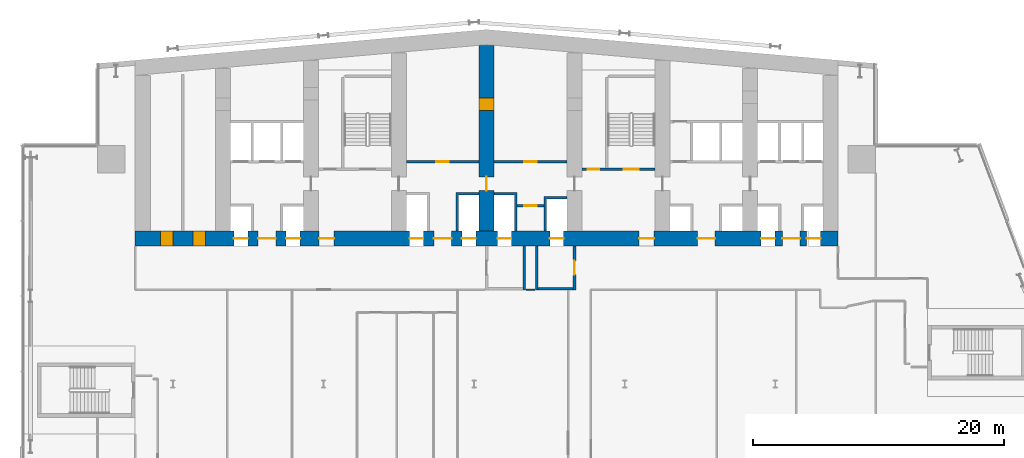
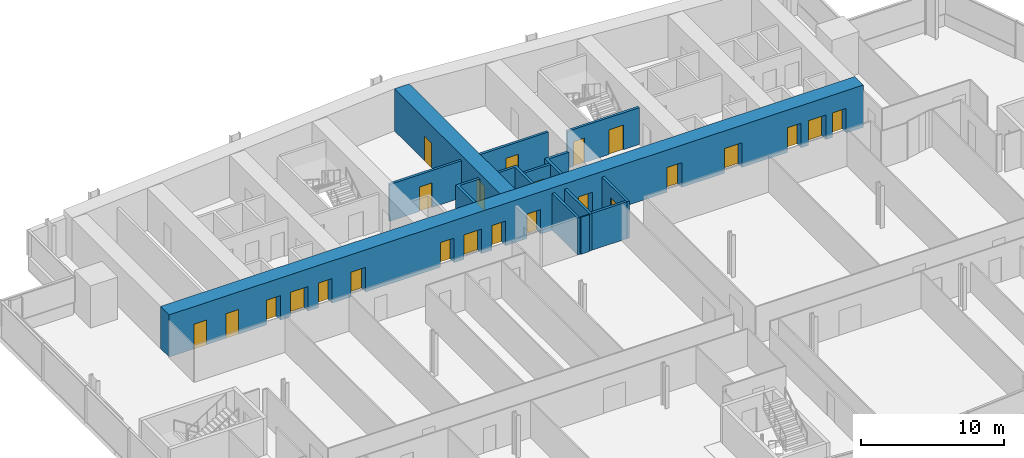
# One storey, part 16 of 24: 24 doors, 14 walls, 24 openings.
"""IFC4 building model written with IfcOpenShell, lengths in metres."""

from ifc_helpers import new_model, si_unit, direction, frame, frame_2d, origin, place, context, subcontext, project, spatial, polyline, rectangle, outline, extrude, material, layer, layer_set, type_object, element, fill, save


model = new_model("IFC4")

# Units and contexts
model_context = context("Model", 3, precision=1e-05, world=origin(), true_north=direction((0.0, 1.0)))
body_context = subcontext(model_context, "Body", "Model", "MODEL_VIEW")
ifc_project = project(units=[si_unit("LENGTHUNIT", "METRE"), si_unit("AREAUNIT", "SQUARE_METRE"), si_unit("VOLUMEUNIT", "CUBIC_METRE"), si_unit("PLANEANGLEUNIT", "RADIAN"), si_unit("MASSUNIT", "GRAM", prefix="KILO")], contexts=[model_context])

# Site, building, storey
site_placement = place(None, origin())
site = spatial("IfcSite", under=ifc_project, at=site_placement, CompositionType="ELEMENT")
building_placement = place(site_placement, origin())
building = spatial("IfcBuilding", under=site, at=building_placement, Name="Wharfspan Tower", CompositionType="ELEMENT")
storey_placement = place(building_placement, frame((0.0, 0.0, 88.300049)))
storey = spatial("IfcBuildingStorey", under=building, at=storey_placement, Name="L19", CompositionType="ELEMENT", Elevation=88.300049)

# Wall
ifc_material_1 = material(Name="Gypsum board on steel studs", Category="steel")
ifc_layer_1 = layer(ifc_material_1, 0.100098)
ifc_layer_set_1 = layer_set([ifc_layer_1], Name="Gypsum board on steel studs")
wall_type_1 = type_object("IfcWallType", Name="Compartment wall 100 EI 60", PredefinedType="PARTITIONING", material=ifc_layer_set_1)
wall_1_placement = place(storey_placement, frame((40.149902, 30.5, 0.0), z_axis=(0.0, 0.0, 1.0), x_axis=(1.0, 0.0, 0.0)))
element("IfcWall", 1, at=wall_1_placement, inside=storey, type_object=wall_type_1, Name="Partition L19.w009 (2)", PredefinedType="PARTITIONING", context=body_context, shape_type="SweptSolid", body=[
    extrude(rectangle(XDim=0.700195, YDim=0.100098, at=frame_2d((0.350098, 0.0))), origin(), (0.0, 0.0, 1.0), 3.149902),
])

# Wall, opening, door
ifc_material_2 = material(Name="Calcium silicate masonry", Category="masonry")
ifc_layer_2 = layer(ifc_material_2, 0.199951)
ifc_layer_set_2 = layer_set([ifc_layer_2], Name="Calcium silicate masonry")
wall_type_2 = type_object("IfcWallType", Name="Core room wall 200", PredefinedType="PARTITIONING", material=ifc_layer_set_2)
wall_2_placement = place(storey_placement, frame((39.43335, 37.199951, 0.0), z_axis=(0.0, 0.0, 1.0), x_axis=(1.0, 0.0, 0.0)))
wall_2 = element("IfcWall", 2, at=wall_2_placement, inside=storey, type_object=wall_type_2, Name="sw:L19:FR4.2", PredefinedType="PARTITIONING", context=body_context, shape_type="SweptSolid", body=[
    extrude(rectangle(XDim=2.133301, YDim=0.199951, at=frame_2d((1.06665, 0.0))), origin(), (0.0, 0.0, 1.0), 3.149902),
])
opening_1_placement = place(wall_2_placement, frame((0.56665, 0.0, 0.0)))
opening_1 = element("IfcOpeningElement", 3, at=opening_1_placement, cuts=wall_2, Name="Opening CD19.4H2", PredefinedType="OPENING", context=body_context, shape_type="SweptSolid", body=[
    extrude(rectangle(XDim=1.0, YDim=2.100098, at=frame_2d((0.5, 1.050049))), frame((0.0, 0.109863, 0.0), z_axis=(0.0, -1.0, 0.0), x_axis=(1.0, 0.0, 0.0)), (0.0, 0.0, 1.0), 0.219971),
])
ifc_material_3 = material(Name="Steel door leaf", Category="steel")
door_type_1 = type_object("IfcDoorType", Name="Core room door 1000x2100", OperationType="SINGLE_SWING_LEFT", PredefinedType="DOOR", material=ifc_material_3)
door_1_placement = place(opening_1_placement, origin())
door_1 = element("IfcDoor", 4, at=door_1_placement, inside=storey, type_object=door_type_1, Name="d:L19:4:fh4.2", OperationType="SINGLE_SWING_RIGHT", OverallHeight=2.100098, OverallWidth=1.0, PredefinedType="DOOR", context=body_context, shape_type="SweptSolid", body=[
    extrude(rectangle(XDim=1.0, YDim=2.100098, at=frame_2d((0.5, 1.050049))), frame((0.0, 0.024902, 0.0), z_axis=(0.0, -1.0, 0.0), x_axis=(1.0, 0.0, 0.0)), (0.0, 0.0, 1.0), 0.050049),
])
fill(opening_1, door_1)

# Wall, openings, doors
ifc_material_4 = material(Name="Concrete C70/85", Category="concrete")
ifc_layer_3 = layer(ifc_material_4, 1.199951)
ifc_layer_set_3 = layer_set([ifc_layer_3], Name="Concrete C70/85")
wall_type_3 = type_object("IfcWallType", Name="Core wall 1200 C70/85", PredefinedType="SHEAR", material=ifc_layer_set_3)
wall_3_placement = place(storey_placement, frame((9.0, 34.600098, 0.0), z_axis=(0.0, 0.0, 1.0), x_axis=(1.0, 0.0, 0.0)))
wall_3 = element("IfcWall", 5, at=wall_3_placement, inside=storey, type_object=wall_type_3, Name="Core front wall L19", PredefinedType="SHEAR", context=body_context, shape_type="SweptSolid", body=[
    extrude(rectangle(XDim=56.0, YDim=1.199951, at=frame_2d((28.0, 0.0))), origin(), (0.0, 0.0, 1.0), 3.599854),
])
opening_2_placement = place(wall_3_placement, frame((2.0, 0.0, 0.0)))
opening_2 = element("IfcOpeningElement", 6, at=opening_2_placement, cuts=wall_3, Name="Opening CD19.01", PredefinedType="OPENING", context=body_context, shape_type="SweptSolid", body=[
    extrude(rectangle(XDim=1.0, YDim=2.100098, at=frame_2d((0.5, 1.050049))), frame((0.0, 0.609863, 0.0), z_axis=(0.0, -1.0, 0.0), x_axis=(1.0, 0.0, 0.0)), (0.0, 0.0, 1.0), 1.219971),
])
opening_3_placement = place(wall_3_placement, frame((4.600098, 0.0, 0.0)))
opening_3 = element("IfcOpeningElement", 7, at=opening_3_placement, cuts=wall_3, Name="Opening CD19.02", PredefinedType="OPENING", context=body_context, shape_type="SweptSolid", body=[
    extrude(rectangle(XDim=1.0, YDim=2.100098, at=frame_2d((0.5, 1.050049))), frame((0.0, 0.609863, 0.0), z_axis=(0.0, -1.0, 0.0), x_axis=(1.0, 0.0, 0.0)), (0.0, 0.0, 1.0), 1.219971),
])
opening_4_placement = place(wall_3_placement, frame((7.866699, 0.0, 0.0)))
opening_4 = element("IfcOpeningElement", 8, at=opening_4_placement, cuts=wall_3, Name="Opening LD.LA1.L19", PredefinedType="OPENING", context=body_context, shape_type="SweptSolid", body=[
    extrude(rectangle(XDim=1.100098, YDim=2.100098, at=frame_2d((0.550049, 1.050049))), frame((0.0, 0.609863, 0.0), z_axis=(0.0, -1.0, 0.0), x_axis=(1.0, 0.0, 0.0)), (0.0, 0.0, 1.0), 1.219971),
])
opening_5_placement = place(wall_3_placement, frame((12.033203, 0.0, 0.0)))
opening_5 = element("IfcOpeningElement", 9, at=opening_5_placement, cuts=wall_3, Name="Opening LD.LA2.L19", PredefinedType="OPENING", context=body_context, shape_type="SweptSolid", body=[
    extrude(rectangle(XDim=1.100098, YDim=2.100098, at=frame_2d((0.550049, 1.050049))), frame((0.0, 0.609863, 0.0), z_axis=(0.0, -1.0, 0.0), x_axis=(1.0, 0.0, 0.0)), (0.0, 0.0, 1.0), 1.219971),
])
opening_6_placement = place(wall_3_placement, frame((9.800049, 0.0, 0.0)))
opening_6 = element("IfcOpeningElement", 10, at=opening_6_placement, cuts=wall_3, Name="Opening HD19.1", PredefinedType="OPENING", context=body_context, shape_type="SweptSolid", body=[
    extrude(rectangle(XDim=1.399902, YDim=2.100098, at=frame_2d((0.699951, 1.050049))), frame((0.0, 0.609863, 0.0), z_axis=(0.0, -1.0, 0.0), x_axis=(1.0, 0.0, 0.0)), (0.0, 0.0, 1.0), 1.219971),
])
opening_7_placement = place(wall_3_placement, frame((14.649902, 0.0, 0.0)))
opening_7 = element("IfcOpeningElement", 11, at=opening_7_placement, cuts=wall_3, Name="Opening SV2.L19", PredefinedType="OPENING", context=body_context, shape_type="SweptSolid", body=[
    extrude(rectangle(XDim=1.199951, YDim=2.100098, at=frame_2d((0.600098, 1.050049))), frame((0.0, 0.609863, 0.0), z_axis=(0.0, -1.0, 0.0), x_axis=(1.0, 0.0, 0.0)), (0.0, 0.0, 1.0), 1.219971),
])
opening_8_placement = place(wall_3_placement, frame((21.866699, 0.0, 0.0)))
opening_8 = element("IfcOpeningElement", 12, at=opening_8_placement, cuts=wall_3, Name="Opening LD.SL1.L19", PredefinedType="OPENING", context=body_context, shape_type="SweptSolid", body=[
    extrude(rectangle(XDim=1.100098, YDim=2.100098, at=frame_2d((0.550049, 1.050049))), frame((0.0, 0.609863, 0.0), z_axis=(0.0, -1.0, 0.0), x_axis=(1.0, 0.0, 0.0)), (0.0, 0.0, 1.0), 1.219971),
])
opening_9_placement = place(wall_3_placement, frame((26.033203, 0.0, 0.0)))
opening_9 = element("IfcOpeningElement", 13, at=opening_9_placement, cuts=wall_3, Name="Opening LD.SL2.L19", PredefinedType="OPENING", context=body_context, shape_type="SweptSolid", body=[
    extrude(rectangle(XDim=1.100098, YDim=2.100098, at=frame_2d((0.550049, 1.050049))), frame((0.0, 0.609863, 0.0), z_axis=(0.0, -1.0, 0.0), x_axis=(1.0, 0.0, 0.0)), (0.0, 0.0, 1.0), 1.219971),
])
opening_10_placement = place(wall_3_placement, frame((23.800049, 0.0, 0.0)))
opening_10 = element("IfcOpeningElement", 14, at=opening_10_placement, cuts=wall_3, Name="Opening HD19.3", PredefinedType="OPENING", context=body_context, shape_type="SweptSolid", body=[
    extrude(rectangle(XDim=1.399902, YDim=2.100098, at=frame_2d((0.699951, 1.050049))), frame((0.0, 0.609863, 0.0), z_axis=(0.0, -1.0, 0.0), x_axis=(1.0, 0.0, 0.0)), (0.0, 0.0, 1.0), 1.219971),
])
opening_11_placement = place(wall_3_placement, frame((28.866699, 0.0, 0.0)))
opening_11 = element("IfcOpeningElement", 15, at=opening_11_placement, cuts=wall_3, Name="Opening LD.FF1.L19", PredefinedType="OPENING", context=body_context, shape_type="SweptSolid", body=[
    extrude(rectangle(XDim=1.100098, YDim=2.100098, at=frame_2d((0.550049, 1.050049))), frame((0.0, 0.609863, 0.0), z_axis=(0.0, -1.0, 0.0), x_axis=(1.0, 0.0, 0.0)), (0.0, 0.0, 1.0), 1.219971),
])
opening_12_placement = place(wall_3_placement, frame((33.033203, 0.0, 0.0)))
opening_12 = element("IfcOpeningElement", 16, at=opening_12_placement, cuts=wall_3, Name="Opening LD.FF2.L19", PredefinedType="OPENING", context=body_context, shape_type="SweptSolid", body=[
    extrude(rectangle(XDim=1.100098, YDim=2.100098, at=frame_2d((0.550049, 1.050049))), frame((0.0, 0.609863, 0.0), z_axis=(0.0, -1.0, 0.0), x_axis=(1.0, 0.0, 0.0)), (0.0, 0.0, 1.0), 1.219971),
])
opening_13_placement = place(wall_3_placement, frame((40.149902, 0.0, 0.0)))
opening_13 = element("IfcOpeningElement", 17, at=opening_13_placement, cuts=wall_3, Name="Opening SV5.L19", PredefinedType="OPENING", context=body_context, shape_type="SweptSolid", body=[
    extrude(rectangle(XDim=1.199951, YDim=2.100098, at=frame_2d((0.600098, 1.050049))), frame((0.0, 0.609863, 0.0), z_axis=(0.0, -1.0, 0.0), x_axis=(1.0, 0.0, 0.0)), (0.0, 0.0, 1.0), 1.219971),
])
opening_14_placement = place(wall_3_placement, frame((44.800049, 0.0, 0.0)))
opening_14 = element("IfcOpeningElement", 18, at=opening_14_placement, cuts=wall_3, Name="Opening HD19.6", PredefinedType="OPENING", context=body_context, shape_type="SweptSolid", body=[
    extrude(rectangle(XDim=1.399902, YDim=2.100098, at=frame_2d((0.699951, 1.050049))), frame((0.0, 0.609863, 0.0), z_axis=(0.0, -1.0, 0.0), x_axis=(1.0, 0.0, 0.0)), (0.0, 0.0, 1.0), 1.219971),
])
opening_15_placement = place(wall_3_placement, frame((49.866699, 0.0, 0.0)))
opening_15 = element("IfcOpeningElement", 19, at=opening_15_placement, cuts=wall_3, Name="Opening LD.LA6.L19", PredefinedType="OPENING", context=body_context, shape_type="SweptSolid", body=[
    extrude(rectangle(XDim=1.100098, YDim=2.100098, at=frame_2d((0.550049, 1.050049))), frame((0.0, 0.609863, 0.0), z_axis=(0.0, -1.0, 0.0), x_axis=(1.0, 0.0, 0.0)), (0.0, 0.0, 1.0), 1.219971),
])
opening_16_placement = place(wall_3_placement, frame((53.5, 0.0, 0.0)))
opening_16 = element("IfcOpeningElement", 20, at=opening_16_placement, cuts=wall_3, Name="Opening LD.LA7.L19", PredefinedType="OPENING", context=body_context, shape_type="SweptSolid", body=[
    extrude(rectangle(XDim=1.100098, YDim=2.100098, at=frame_2d((0.550049, 1.050049))), frame((0.0, 0.609863, 0.0), z_axis=(0.0, -1.0, 0.0), x_axis=(1.0, 0.0, 0.0)), (0.0, 0.0, 1.0), 1.219971),
])
opening_17_placement = place(wall_3_placement, frame((51.56665, 0.0, 0.0)))
opening_17 = element("IfcOpeningElement", 21, at=opening_17_placement, cuts=wall_3, Name="Opening HD19.7", PredefinedType="OPENING", context=body_context, shape_type="SweptSolid", body=[
    extrude(rectangle(XDim=1.399902, YDim=2.100098, at=frame_2d((0.699951, 1.050049))), frame((0.0, 0.609863, 0.0), z_axis=(0.0, -1.0, 0.0), x_axis=(1.0, 0.0, 0.0)), (0.0, 0.0, 1.0), 1.219971),
])
door_2_placement = place(opening_2_placement, origin())
door_2 = element("IfcDoor", 22, at=door_2_placement, inside=storey, type_object=door_type_1, Name="d:L19:0:rf", OperationType="SINGLE_SWING_LEFT", OverallHeight=2.100098, OverallWidth=1.0, PredefinedType="DOOR", context=body_context, shape_type="SweptSolid", body=[
    extrude(rectangle(XDim=1.0, YDim=2.100098, at=frame_2d((0.5, 1.050049))), frame((0.0, 0.599609, 0.0), z_axis=(0.0, -1.0, 0.0), x_axis=(1.0, 0.0, 0.0)), (0.0, 0.0, 1.0), 1.199463),
])
fill(opening_2, door_2)
door_3_placement = place(opening_3_placement, origin())
door_3 = element("IfcDoor", 23, at=door_3_placement, inside=storey, type_object=door_type_1, Name="d:L19:0:rr", OperationType="SINGLE_SWING_RIGHT", OverallHeight=2.100098, OverallWidth=1.0, PredefinedType="DOOR", context=body_context, shape_type="SweptSolid", body=[
    extrude(rectangle(XDim=1.0, YDim=2.100098, at=frame_2d((0.5, 1.050049))), frame((0.0, 0.599609, 0.0), z_axis=(0.0, -1.0, 0.0), x_axis=(1.0, 0.0, 0.0)), (0.0, 0.0, 1.0), 1.199463),
])
fill(opening_3, door_3)
door_type_2 = type_object("IfcDoorType", Name="Hall entry door 1400x2100", OperationType="DOUBLE_DOOR_SINGLE_SWING", PredefinedType="DOOR", material=ifc_material_3)
door_4_placement = place(opening_6_placement, origin())
door_4 = element("IfcDoor", 24, at=door_4_placement, inside=storey, type_object=door_type_2, Name="d:L19:1:hd1", OperationType="DOUBLE_DOOR_SINGLE_SWING", OverallHeight=2.100098, OverallWidth=1.399902, PredefinedType="DOOR", context=body_context, shape_type="SweptSolid", body=[
    extrude(rectangle(XDim=1.399902, YDim=2.100098, at=frame_2d((0.699951, 1.050049))), frame((0.0, 0.024902, 0.0), z_axis=(0.0, -1.0, 0.0), x_axis=(1.0, 0.0, 0.0)), (0.0, 0.0, 1.0), 0.050049),
])
fill(opening_6, door_4)
door_5_placement = place(opening_10_placement, origin())
door_5 = element("IfcDoor", 25, at=door_5_placement, inside=storey, type_object=door_type_2, Name="d:L19:3:hd3", OperationType="DOUBLE_DOOR_SINGLE_SWING", OverallHeight=2.100098, OverallWidth=1.399902, PredefinedType="DOOR", context=body_context, shape_type="SweptSolid", body=[
    extrude(rectangle(XDim=1.399902, YDim=2.100098, at=frame_2d((0.699951, 1.050049))), frame((0.0, 0.024902, 0.0), z_axis=(0.0, -1.0, 0.0), x_axis=(1.0, 0.0, 0.0)), (0.0, 0.0, 1.0), 0.050049),
])
fill(opening_10, door_5)
door_6_placement = place(opening_14_placement, origin())
door_6 = element("IfcDoor", 26, at=door_6_placement, inside=storey, type_object=door_type_2, Name="d:L19:6:hd6", OperationType="DOUBLE_DOOR_SINGLE_SWING", OverallHeight=2.100098, OverallWidth=1.399902, PredefinedType="DOOR", context=body_context, shape_type="SweptSolid", body=[
    extrude(rectangle(XDim=1.399902, YDim=2.100098, at=frame_2d((0.699951, 1.050049))), frame((0.0, 0.024902, 0.0), z_axis=(0.0, -1.0, 0.0), x_axis=(1.0, 0.0, 0.0)), (0.0, 0.0, 1.0), 0.050049),
])
fill(opening_14, door_6)
door_7_placement = place(opening_17_placement, origin())
door_7 = element("IfcDoor", 27, at=door_7_placement, inside=storey, type_object=door_type_2, Name="d:L19:7:hd7", OperationType="DOUBLE_DOOR_SINGLE_SWING", OverallHeight=2.100098, OverallWidth=1.399902, PredefinedType="DOOR", context=body_context, shape_type="SweptSolid", body=[
    extrude(rectangle(XDim=1.399902, YDim=2.100098, at=frame_2d((0.699951, 1.050049))), frame((0.0, 0.024902, 0.0), z_axis=(0.0, -1.0, 0.0), x_axis=(1.0, 0.0, 0.0)), (0.0, 0.0, 1.0), 0.050049),
])
fill(opening_17, door_7)
ifc_material_5 = material(Name="Stainless steel", Category="steel")
door_type_3 = type_object("IfcDoorType", Name="Lift landing door 1100x2100", OperationType="DOUBLE_DOOR_SLIDING", PredefinedType="DOOR", material=ifc_material_5)
door_8_placement = place(opening_4_placement, origin())
door_8 = element("IfcDoor", 28, at=door_8_placement, inside=storey, type_object=door_type_3, Name="Landing door LA1 L19", OperationType="DOUBLE_DOOR_SLIDING", OverallHeight=2.100098, OverallWidth=1.100098, PredefinedType="DOOR", context=body_context, shape_type="SweptSolid", body=[
    extrude(rectangle(XDim=1.100098, YDim=2.100098, at=frame_2d((0.550049, 1.050049))), frame((0.0, 0.024902, 0.0), z_axis=(0.0, -1.0, 0.0), x_axis=(1.0, 0.0, 0.0)), (0.0, 0.0, 1.0), 0.050049),
])
fill(opening_4, door_8)
door_9_placement = place(opening_5_placement, origin())
door_9 = element("IfcDoor", 29, at=door_9_placement, inside=storey, type_object=door_type_3, Name="Landing door LA2 L19", OperationType="DOUBLE_DOOR_SLIDING", OverallHeight=2.100098, OverallWidth=1.100098, PredefinedType="DOOR", context=body_context, shape_type="SweptSolid", body=[
    extrude(rectangle(XDim=1.100098, YDim=2.100098, at=frame_2d((0.550049, 1.050049))), frame((0.0, 0.024902, 0.0), z_axis=(0.0, -1.0, 0.0), x_axis=(1.0, 0.0, 0.0)), (0.0, 0.0, 1.0), 0.050049),
])
fill(opening_5, door_9)
door_10_placement = place(opening_8_placement, origin())
door_10 = element("IfcDoor", 30, at=door_10_placement, inside=storey, type_object=door_type_3, Name="Landing door SL1 L19", OperationType="DOUBLE_DOOR_SLIDING", OverallHeight=2.100098, OverallWidth=1.100098, PredefinedType="DOOR", context=body_context, shape_type="SweptSolid", body=[
    extrude(rectangle(XDim=1.100098, YDim=2.100098, at=frame_2d((0.550049, 1.050049))), frame((0.0, 0.024902, 0.0), z_axis=(0.0, -1.0, 0.0), x_axis=(1.0, 0.0, 0.0)), (0.0, 0.0, 1.0), 0.050049),
])
fill(opening_8, door_10)
door_11_placement = place(opening_9_placement, origin())
door_11 = element("IfcDoor", 31, at=door_11_placement, inside=storey, type_object=door_type_3, Name="Landing door SL2 L19", OperationType="DOUBLE_DOOR_SLIDING", OverallHeight=2.100098, OverallWidth=1.100098, PredefinedType="DOOR", context=body_context, shape_type="SweptSolid", body=[
    extrude(rectangle(XDim=1.100098, YDim=2.100098, at=frame_2d((0.550049, 1.050049))), frame((0.0, 0.024902, 0.0), z_axis=(0.0, -1.0, 0.0), x_axis=(1.0, 0.0, 0.0)), (0.0, 0.0, 1.0), 0.050049),
])
fill(opening_9, door_11)
door_12_placement = place(opening_11_placement, origin())
door_12 = element("IfcDoor", 32, at=door_12_placement, inside=storey, type_object=door_type_3, Name="Landing door FF1 L19", OperationType="DOUBLE_DOOR_SLIDING", OverallHeight=2.100098, OverallWidth=1.100098, PredefinedType="DOOR", context=body_context, shape_type="SweptSolid", body=[
    extrude(rectangle(XDim=1.100098, YDim=2.100098, at=frame_2d((0.550049, 1.050049))), frame((0.0, 0.024902, 0.0), z_axis=(0.0, -1.0, 0.0), x_axis=(1.0, 0.0, 0.0)), (0.0, 0.0, 1.0), 0.050049),
])
fill(opening_11, door_12)
door_13_placement = place(opening_12_placement, origin())
door_13 = element("IfcDoor", 33, at=door_13_placement, inside=storey, type_object=door_type_3, Name="Landing door FF2 L19", OperationType="DOUBLE_DOOR_SLIDING", OverallHeight=2.100098, OverallWidth=1.100098, PredefinedType="DOOR", context=body_context, shape_type="SweptSolid", body=[
    extrude(rectangle(XDim=1.100098, YDim=2.100098, at=frame_2d((0.550049, 1.050049))), frame((0.0, 0.024902, 0.0), z_axis=(0.0, -1.0, 0.0), x_axis=(1.0, 0.0, 0.0)), (0.0, 0.0, 1.0), 0.050049),
])
fill(opening_12, door_13)
door_14_placement = place(opening_15_placement, origin())
door_14 = element("IfcDoor", 34, at=door_14_placement, inside=storey, type_object=door_type_3, Name="Landing door LA6 L19", OperationType="DOUBLE_DOOR_SLIDING", OverallHeight=2.100098, OverallWidth=1.100098, PredefinedType="DOOR", context=body_context, shape_type="SweptSolid", body=[
    extrude(rectangle(XDim=1.100098, YDim=2.100098, at=frame_2d((0.550049, 1.050049))), frame((0.0, 0.024902, 0.0), z_axis=(0.0, -1.0, 0.0), x_axis=(1.0, 0.0, 0.0)), (0.0, 0.0, 1.0), 0.050049),
])
fill(opening_15, door_14)
door_15_placement = place(opening_16_placement, origin())
door_15 = element("IfcDoor", 35, at=door_15_placement, inside=storey, type_object=door_type_3, Name="Landing door LA7 L19", OperationType="DOUBLE_DOOR_SLIDING", OverallHeight=2.100098, OverallWidth=1.100098, PredefinedType="DOOR", context=body_context, shape_type="SweptSolid", body=[
    extrude(rectangle(XDim=1.100098, YDim=2.100098, at=frame_2d((0.550049, 1.050049))), frame((0.0, 0.024902, 0.0), z_axis=(0.0, -1.0, 0.0), x_axis=(1.0, 0.0, 0.0)), (0.0, 0.0, 1.0), 0.050049),
])
fill(opening_16, door_15)
door_type_4 = type_object("IfcDoorType", Name="Stair door 1200x2100", OperationType="SINGLE_SWING_LEFT", PredefinedType="DOOR", material=ifc_material_3)
door_16_placement = place(opening_7_placement, origin())
door_16 = element("IfcDoor", 36, at=door_16_placement, inside=storey, type_object=door_type_4, Name="vd:L19:2", OperationType="SINGLE_SWING_LEFT", OverallHeight=2.100098, OverallWidth=1.199951, PredefinedType="DOOR", context=body_context, shape_type="SweptSolid", body=[
    extrude(rectangle(XDim=1.199951, YDim=2.100098, at=frame_2d((0.600098, 1.050049))), frame((0.0, 0.024902, 0.0), z_axis=(0.0, -1.0, 0.0), x_axis=(1.0, 0.0, 0.0)), (0.0, 0.0, 1.0), 0.050049),
])
fill(opening_7, door_16)
door_17_placement = place(opening_13_placement, origin())
door_17 = element("IfcDoor", 37, at=door_17_placement, inside=storey, type_object=door_type_4, Name="vd:L19:5", OperationType="SINGLE_SWING_LEFT", OverallHeight=2.100098, OverallWidth=1.199951, PredefinedType="DOOR", context=body_context, shape_type="SweptSolid", body=[
    extrude(rectangle(XDim=1.199951, YDim=2.100098, at=frame_2d((0.600098, 1.050049))), frame((0.0, 0.024902, 0.0), z_axis=(0.0, -1.0, 0.0), x_axis=(1.0, 0.0, 0.0)), (0.0, 0.0, 1.0), 0.050049),
])
fill(opening_13, door_17)

wall_4_placement = place(storey_placement, frame((37.0, 35.199951, 0.0), z_axis=(0.0, 0.0, 1.0), x_axis=(0.0, 1.0, 0.0)))
wall_4 = element("IfcWall", 38, at=wall_4_placement, inside=storey, type_object=wall_type_3, Name="Core cross wall X4 L19", PredefinedType="SHEAR", context=body_context, shape_type="SweptSolid", body=[
    extrude(rectangle(XDim=14.780029, YDim=1.199951, at=frame_2d((7.390137, 0.0))), origin(), (0.0, 0.0, 1.0), 3.599854),
])
opening_18_placement = place(wall_4_placement, frame((3.199951, 0.0, 0.0)))
opening_18 = element("IfcOpeningElement", 39, at=opening_18_placement, cuts=wall_4, Name="Opening CC19.4", PredefinedType="OPENING", context=body_context, shape_type="SweptSolid", body=[
    extrude(rectangle(XDim=1.100098, YDim=2.100098, at=frame_2d((0.550049, 1.050049))), frame((0.0, 0.609863, 0.0), z_axis=(0.0, -1.0, 0.0), x_axis=(1.0, 0.0, 0.0)), (0.0, 0.0, 1.0), 1.219971),
])
opening_19_placement = place(wall_4_placement, frame((9.600098, 0.0, 0.0)))
opening_19 = element("IfcOpeningElement", 40, at=opening_19_placement, cuts=wall_4, Name="Opening CR19.4", PredefinedType="OPENING", context=body_context, shape_type="SweptSolid", body=[
    extrude(rectangle(XDim=1.0, YDim=2.100098, at=frame_2d((0.5, 1.050049))), frame((0.0, 0.609863, 0.0), z_axis=(0.0, -1.0, 0.0), x_axis=(1.0, 0.0, 0.0)), (0.0, 0.0, 1.0), 1.219971),
])
door_type_5 = type_object("IfcDoorType", Name="Core corridor door 1100x2100", OperationType="SINGLE_SWING_LEFT", PredefinedType="DOOR", material=ifc_material_3)
door_18_placement = place(opening_18_placement, origin())
door_18 = element("IfcDoor", 41, at=door_18_placement, inside=storey, type_object=door_type_5, Name="xd:L19:4", OperationType="SINGLE_SWING_RIGHT", OverallHeight=2.100098, OverallWidth=1.100098, PredefinedType="DOOR", context=body_context, shape_type="SweptSolid", body=[
    extrude(rectangle(XDim=1.100098, YDim=2.100098, at=frame_2d((0.550049, 1.050049))), frame((0.0, 0.024902, 0.0), z_axis=(0.0, -1.0, 0.0), x_axis=(1.0, 0.0, 0.0)), (0.0, 0.0, 1.0), 0.050049),
])
fill(opening_18, door_18)
door_19_placement = place(opening_19_placement, origin())
door_19 = element("IfcDoor", 42, at=door_19_placement, inside=storey, type_object=door_type_1, Name="xr:L19:4", OperationType="SINGLE_SWING_RIGHT", OverallHeight=2.100098, OverallWidth=1.0, PredefinedType="DOOR", context=body_context, shape_type="SweptSolid", body=[
    extrude(rectangle(XDim=1.0, YDim=2.100098, at=frame_2d((0.5, 1.050049))), frame((0.0, 0.599609, 0.0), z_axis=(0.0, -1.0, 0.0), x_axis=(1.0, 0.0, 0.0)), (0.0, 0.0, 1.0), 1.199463),
])
fill(opening_19, door_19)

# Wall, opening, door
ifc_material_6 = material(Name="Concrete C30/37", Category="concrete")
ifc_layer_4 = layer(ifc_material_6, 0.199951)
ifc_layer_set_4 = layer_set([ifc_layer_4], Name="Concrete C30/37")
wall_type_4 = type_object("IfcWallType", Name="Lift shaft wall 200", PredefinedType="PARTITIONING", material=ifc_layer_set_4)
wall_5_placement = place(storey_placement, frame((30.600098, 40.699951, 0.0), z_axis=(0.0, 0.0, 1.0), x_axis=(1.0, 0.0, 0.0)))
wall_5 = element("IfcWall", 43, at=wall_5_placement, inside=storey, type_object=wall_type_4, Name="sw:L19:RF3", PredefinedType="PARTITIONING", context=body_context, shape_type="SweptSolid", body=[
    extrude(rectangle(XDim=5.799805, YDim=0.199951, at=frame_2d((2.899902, 0.0))), origin(), (0.0, 0.0, 1.0), 3.149902),
])
opening_20_placement = place(wall_5_placement, frame((2.399902, 0.0, 0.0)))
opening_20 = element("IfcOpeningElement", 44, at=opening_20_placement, cuts=wall_5, Name="Opening CD19.3S", PredefinedType="OPENING", context=body_context, shape_type="SweptSolid", body=[
    extrude(rectangle(XDim=1.0, YDim=2.100098, at=frame_2d((0.5, 1.050049))), frame((0.0, 0.109863, 0.0), z_axis=(0.0, -1.0, 0.0), x_axis=(1.0, 0.0, 0.0)), (0.0, 0.0, 1.0), 0.219971),
])
door_20_placement = place(opening_20_placement, origin())
door_20 = element("IfcDoor", 45, at=door_20_placement, inside=storey, type_object=door_type_1, Name="d:L19:3:sf", OperationType="SINGLE_SWING_LEFT", OverallHeight=2.100098, OverallWidth=1.0, PredefinedType="DOOR", context=body_context, shape_type="SweptSolid", body=[
    extrude(rectangle(XDim=1.0, YDim=2.100098, at=frame_2d((0.5, 1.050049))), frame((0.0, 0.024902, 0.0), z_axis=(0.0, -1.0, 0.0), x_axis=(1.0, 0.0, 0.0)), (0.0, 0.0, 1.0), 0.050049),
])
fill(opening_20, door_20)

# Wall
wall_6_placement = place(storey_placement, frame((0.0, 0.0, -0.000244)))
element("IfcWall", 46, at=wall_6_placement, inside=storey, type_object=wall_type_4, Name="sw:L19:FM3.1", PredefinedType="PARTITIONING", context=body_context, shape_type="SweptSolid", body=[
    extrude(outline(polyline([(34.56665, 38.25), (34.766602, 38.25), (36.399902, 38.25), (36.399902, 38.050049), (34.766602, 38.050049), (34.766602, 35.199951), (34.56665, 35.199951), (34.56665, 38.25)])), origin(), (0.0, 0.0, 1.0), 3.150146),
])

# Wall, opening, door
wall_7_placement = place(storey_placement, frame((37.600098, 40.699951, 0.0), z_axis=(0.0, 0.0, 1.0), x_axis=(1.0, 0.0, 0.0)))
wall_7 = element("IfcWall", 47, at=wall_7_placement, inside=storey, type_object=wall_type_4, Name="sw:L19:RF4", PredefinedType="PARTITIONING", context=body_context, shape_type="SweptSolid", body=[
    extrude(rectangle(XDim=5.799805, YDim=0.199951, at=frame_2d((2.899902, 0.0))), origin(), (0.0, 0.0, 1.0), 3.149902),
])
opening_21_placement = place(wall_7_placement, frame((2.399902, 0.0, 0.0)))
opening_21 = element("IfcOpeningElement", 48, at=opening_21_placement, cuts=wall_7, Name="Opening CD19.4S", PredefinedType="OPENING", context=body_context, shape_type="SweptSolid", body=[
    extrude(rectangle(XDim=1.0, YDim=2.100098, at=frame_2d((0.5, 1.050049))), frame((0.0, 0.109863, 0.0), z_axis=(0.0, -1.0, 0.0), x_axis=(1.0, 0.0, 0.0)), (0.0, 0.0, 1.0), 0.219971),
])
door_21_placement = place(opening_21_placement, origin())
door_21 = element("IfcDoor", 49, at=door_21_placement, inside=storey, type_object=door_type_1, Name="d:L19:4:sf", OperationType="SINGLE_SWING_LEFT", OverallHeight=2.100098, OverallWidth=1.0, PredefinedType="DOOR", context=body_context, shape_type="SweptSolid", body=[
    extrude(rectangle(XDim=1.0, YDim=2.100098, at=frame_2d((0.5, 1.050049))), frame((0.0, 0.024902, 0.0), z_axis=(0.0, -1.0, 0.0), x_axis=(1.0, 0.0, 0.0)), (0.0, 0.0, 1.0), 0.050049),
])
fill(opening_21, door_21)

# Walls
wall_8_placement = place(storey_placement, frame((0.0, 0.0, -0.000244)))
element("IfcWall", 50, at=wall_8_placement, inside=storey, type_object=wall_type_4, Name="sw:L19:FM4.0", PredefinedType="PARTITIONING", context=body_context, shape_type="SweptSolid", body=[
    extrude(outline(polyline([(41.56665, 37.949951), (41.766602, 37.949951), (43.399902, 37.949951), (43.399902, 37.75), (41.766602, 37.75), (41.766602, 35.199951), (41.56665, 35.199951), (41.56665, 37.949951)])), origin(), (0.0, 0.0, 1.0), 3.150146),
])
wall_9_placement = place(storey_placement, frame((0.0, 0.0, -0.000244)))
element("IfcWall", 51, at=wall_9_placement, inside=storey, type_object=wall_type_4, Name="sw:L19:FM4.1", PredefinedType="PARTITIONING", context=body_context, shape_type="SweptSolid", body=[
    extrude(outline(polyline([(39.233398, 38.050049), (37.600098, 38.050049), (37.600098, 38.25), (39.233398, 38.25), (39.43335, 38.25), (39.43335, 35.199951), (39.233398, 35.199951), (39.233398, 38.050049)])), origin(), (0.0, 0.0, 1.0), 3.150146),
])
ifc_layer_5 = layer(ifc_material_6, 0.199951)
ifc_layer_set_5 = layer_set([ifc_layer_5], Name="Concrete C30/37")
wall_type_5 = type_object("IfcWallType", Name="Lobby wall 200", PredefinedType="PARTITIONING", material=ifc_layer_set_5)
for number, where, z_axis, x_axis, name in (
    (52, (40.0, 30.5, 0.0), (0.0, 0.0, 1.0), (0.0, 1.0, 0.0), "sw:L19:FLFF1E"),
    (53, (41.0, 30.5, 0.0), (0.0, 0.0, 1.0), (0.0, 1.0, 0.0), "sw:L19:FLFF2W"),
):
    element("IfcWall", number, at=place(storey_placement, frame(where, z_axis=z_axis, x_axis=x_axis)), inside=storey, type_object=wall_type_5, Name=name, PredefinedType="PARTITIONING", context=body_context, shape_type="SweptSolid", body=[
        extrude(rectangle(XDim=3.5, YDim=0.199951, at=frame_2d((1.75, 0.0))), origin(), (0.0, 0.0, 1.0), 3.149902),
    ])

# Wall, opening, door
wall_10_placement = place(storey_placement, frame((44.0, 30.5, 0.0), z_axis=(0.0, 0.0, 1.0), x_axis=(0.0, 1.0, 0.0)))
wall_10 = element("IfcWall", 54, at=wall_10_placement, inside=storey, type_object=wall_type_5, Name="sw:L19:FLFF2E", PredefinedType="PARTITIONING", context=body_context, shape_type="SweptSolid", body=[
    extrude(rectangle(XDim=3.5, YDim=0.199951, at=frame_2d((1.75, 0.0))), origin(), (0.0, 0.0, 1.0), 3.149902),
])
opening_22_placement = place(wall_10_placement, frame((1.199951, 0.0, 0.0)))
opening_22 = element("IfcOpeningElement", 55, at=opening_22_placement, cuts=wall_10, Name="Opening FL.FF2.L19", PredefinedType="OPENING", context=body_context, shape_type="SweptSolid", body=[
    extrude(rectangle(XDim=1.100098, YDim=2.100098, at=frame_2d((0.550049, 1.050049))), frame((0.0, 0.109863, 0.0), z_axis=(0.0, -1.0, 0.0), x_axis=(1.0, 0.0, 0.0)), (0.0, 0.0, 1.0), 0.219971),
])
door_type_6 = type_object("IfcDoorType", Name="Firefighting lobby door 1100x2100", OperationType="SINGLE_SWING_LEFT", PredefinedType="DOOR", material=ifc_material_3)
door_22_placement = place(opening_22_placement, origin())
door_22 = element("IfcDoor", 56, at=door_22_placement, inside=storey, type_object=door_type_6, Name="fd:L19:FF2", OperationType="SINGLE_SWING_LEFT", OverallHeight=2.100098, OverallWidth=1.100098, PredefinedType="DOOR", context=body_context, shape_type="SweptSolid", body=[
    extrude(rectangle(XDim=1.100098, YDim=2.100098, at=frame_2d((0.550049, 1.050049))), frame((0.0, 0.024902, 0.0), z_axis=(0.0, -1.0, 0.0), x_axis=(1.0, 0.0, 0.0)), (0.0, 0.0, 1.0), 0.050049),
])
fill(opening_22, door_22)

# Wall
wall_11_placement = place(storey_placement, frame((41.100098, 30.600098, 0.0), z_axis=(0.0, 0.0, 1.0), x_axis=(1.0, 0.0, 0.0)))
element("IfcWall", 57, at=wall_11_placement, inside=storey, type_object=wall_type_5, Name="sw:L19:FLFF2F", PredefinedType="PARTITIONING", context=body_context, shape_type="SweptSolid", body=[
    extrude(rectangle(XDim=2.799805, YDim=0.199951, at=frame_2d((1.399902, 0.0))), origin(), (0.0, 0.0, 1.0), 3.149902),
])

# Wall, openings, doors
ifc_material_7 = material(Name="Concrete C40/50", Category="concrete")
ifc_layer_6 = layer(ifc_material_7, 0.199951)
ifc_layer_set_6 = layer_set([ifc_layer_6], Name="Concrete C40/50")
wall_type_6 = type_object("IfcWallType", Name="Stair shaft wall 200", PredefinedType="SHEAR", material=ifc_layer_set_6)
wall_12_placement = place(storey_placement, frame((44.600098, 40.100098, 0.0), z_axis=(0.0, 0.0, 1.0), x_axis=(1.0, 0.0, 0.0)))
wall_12 = element("IfcWall", 58, at=wall_12_placement, inside=storey, type_object=wall_type_6, Name="ST2 stair enclosure wall L19", PredefinedType="SHEAR", context=body_context, shape_type="SweptSolid", body=[
    extrude(rectangle(XDim=5.799805, YDim=0.199951, at=frame_2d((2.899902, 0.0))), origin(), (0.0, 0.0, 1.0), 3.149902),
])
opening_23_placement = place(wall_12_placement, frame((3.324951, 0.0, 0.0)))
opening_23 = element("IfcOpeningElement", 59, at=opening_23_placement, cuts=wall_12, Name="Opening SD5.L19", PredefinedType="OPENING", context=body_context, shape_type="SweptSolid", body=[
    extrude(rectangle(XDim=1.199951, YDim=2.100098, at=frame_2d((0.600098, 1.050049))), frame((0.0, 0.109863, 0.0), z_axis=(0.0, -1.0, 0.0), x_axis=(1.0, 0.0, 0.0)), (0.0, 0.0, 1.0), 0.219971),
])
opening_24_placement = place(wall_12_placement, frame((0.475098, 0.0, 0.0)))
opening_24 = element("IfcOpeningElement", 60, at=opening_24_placement, cuts=wall_12, Name="Opening CD19.5R", PredefinedType="OPENING", context=body_context, shape_type="SweptSolid", body=[
    extrude(rectangle(XDim=0.899902, YDim=2.100098, at=frame_2d((0.449951, 1.050049))), frame((0.0, 0.109863, 0.0), z_axis=(0.0, -1.0, 0.0), x_axis=(1.0, 0.0, 0.0)), (0.0, 0.0, 1.0), 0.219971),
])
door_23_placement = place(opening_24_placement, origin())
door_23 = element("IfcDoor", 61, at=door_23_placement, inside=storey, type_object=door_type_1, Name="rk:L19:5", OperationType="SINGLE_SWING_LEFT", OverallHeight=2.100098, OverallWidth=0.899902, PredefinedType="DOOR", context=body_context, shape_type="SweptSolid", body=[
    extrude(rectangle(XDim=0.899902, YDim=2.100098, at=frame_2d((0.449951, 1.050049))), frame((0.0, 0.024902, 0.0), z_axis=(0.0, -1.0, 0.0), x_axis=(1.0, 0.0, 0.0)), (0.0, 0.0, 1.0), 0.050049),
])
fill(opening_24, door_23)
door_24_placement = place(opening_23_placement, origin())
door_24 = element("IfcDoor", 62, at=door_24_placement, inside=storey, type_object=door_type_4, Name="sd:L19:5", OperationType="SINGLE_SWING_RIGHT", OverallHeight=2.100098, OverallWidth=1.199951, PredefinedType="DOOR", context=body_context, shape_type="SweptSolid", body=[
    extrude(rectangle(XDim=1.199951, YDim=2.100098, at=frame_2d((0.600098, 1.050049))), frame((0.0, 0.024902, 0.0), z_axis=(0.0, -1.0, 0.0), x_axis=(1.0, 0.0, 0.0)), (0.0, 0.0, 1.0), 0.050049),
])
fill(opening_23, door_24)

save(model, "model.ifc")
